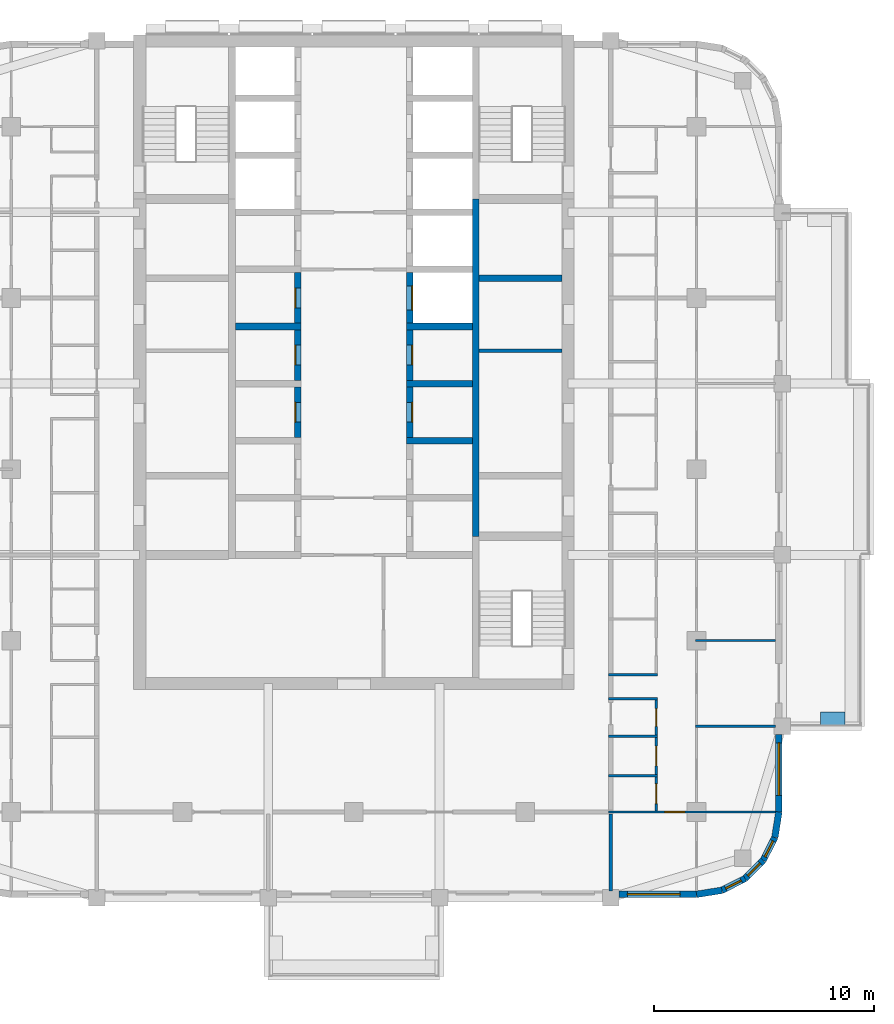
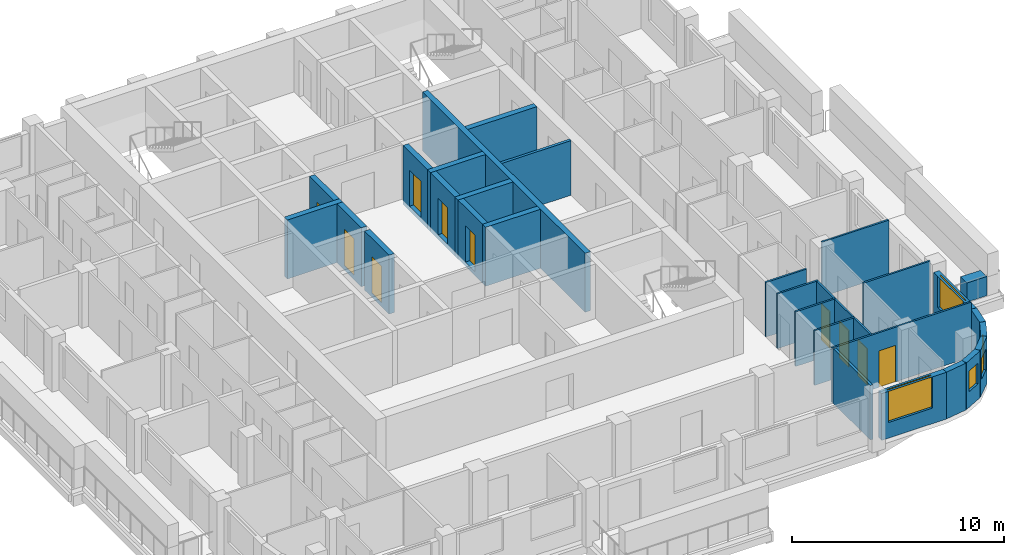
# One storey, part 5 of 13: 30 walls, 10 doors, 5 windows, 15 openings.
"""IFC4 building model written with IfcOpenShell, lengths in metres."""

from ifc_helpers import new_model, si_unit, direction, frame, frame_2d, origin, place, context, subcontext, project, spatial, rectangle, extrude, material, layer, layer_set, type_object, element, fill, save


model = new_model("IFC4")

# Units and contexts
model_context = context("Model", 3, precision=1e-05, world=origin(), true_north=direction((0.0, 1.0)))
body_context = subcontext(model_context, "Body", "Model", "MODEL_VIEW")
ifc_project = project(units=[si_unit("LENGTHUNIT", "METRE"), si_unit("AREAUNIT", "SQUARE_METRE"), si_unit("VOLUMEUNIT", "CUBIC_METRE"), si_unit("PLANEANGLEUNIT", "RADIAN"), si_unit("MASSUNIT", "GRAM", prefix="KILO")], contexts=[model_context])

# Site, building, storey
site_placement = place(None, origin())
site = spatial("IfcSite", under=ifc_project, at=site_placement, CompositionType="ELEMENT")
building_placement = place(site_placement, origin())
building = spatial("IfcBuilding", under=site, at=building_placement, Name="Ludao Terraces", CompositionType="ELEMENT")
storey_placement = place(building_placement, frame((0.0, 0.0, 158.800048828125)))
storey = spatial("IfcBuildingStorey", under=building, at=storey_placement, Name="L43", CompositionType="ELEMENT", Elevation=158.800048828125)

# Wall
ifc_material_1 = material(Name="Concrete C40", Category="concrete")
ifc_layer_1 = layer(ifc_material_1, 0.60009765625)
ifc_layer_set_1 = layer_set([ifc_layer_1], Name="ENV Planter trough 600")
wall_type_1 = type_object("IfcWallType", Name="ENV Planter trough 600", PredefinedType="USERDEFINED", material=ifc_layer_set_1)
wall_1_placement = place(storey_placement, frame((107.35009765625, 53.64990234375, 0.0), z_axis=(0.0, 0.0, 1.0), x_axis=(-1.0, 0.0, 0.0)))
element("IfcWall", 1, at=wall_1_placement, inside=storey, type_object=wall_type_1, Name="PL-L43-E1-SA", ObjectType="PLANTER", PredefinedType="USERDEFINED", context=body_context, shape_type="SweptSolid", body=[
    extrude(rectangle(XDim=1.10009765625, YDim=0.60009765625, at=frame_2d((0.550048828125, 0.0))), origin(), (0.0, 0.0, 1.0), 1.099853515625),
])

# Wall, opening, window
ifc_material_2 = material(Name="Granite cladding", Category="masonry")
ifc_layer_2 = layer(ifc_material_2, 0.0400390625, Category="stone")
ifc_material_3 = material(Name="Mineral wool")
ifc_layer_3 = layer(ifc_material_3, 0.06005859375)
ifc_layer_4 = layer(ifc_material_1, 0.199951171875, Category="concrete")
ifc_layer_set_2 = layer_set([ifc_layer_2, ifc_layer_3, ifc_layer_4], Name="ENV Stone-clad wall 300")
wall_type_2 = type_object("IfcWallType", Name="ENV Stone-clad wall 300", PredefinedType="SOLIDWALL", material=ifc_layer_set_2)
wall_2_placement = place(storey_placement, frame((97.074951171875, 45.64990234375, 0.0), z_axis=(0.0, 0.0, 1.0), x_axis=(1.0, 0.0, 0.0)))
wall_2 = element("IfcWall", 2, at=wall_2_placement, inside=storey, type_object=wall_type_2, Name="EW-L43-S5", PredefinedType="SOLIDWALL", context=body_context, shape_type="SweptSolid", body=[
    extrude(rectangle(XDim=3.525146484375, YDim=0.300048828125, at=frame_2d((1.7626953125, 0.0))), origin(), (0.0, 0.0, 1.0), 2.699951171875),
])
opening_1_placement = place(wall_2_placement, frame((0.375, 0.0, 0.89990234375)))
opening_1 = element("IfcOpeningElement", 3, at=opening_1_placement, cuts=wall_2, Name="Opening W1", PredefinedType="OPENING", context=body_context, shape_type="SweptSolid", body=[
    extrude(rectangle(XDim=2.39990234375, YDim=1.800048828125, at=frame_2d((1.199951171875, 0.89990234375))), frame((0.0, 0.16015625, 0.0), z_axis=(0.0, -1.0, 0.0), x_axis=(1.0, 0.0, 0.0)), (0.0, 0.0, 1.0), 0.320068359375),
])
ifc_material_4 = material(Name="Clear glass in aluminium frame", Category="aluminium")
ifc_layer_5 = layer(ifc_material_4, 0.06005859375)
ifc_layer_set_3 = layer_set([ifc_layer_5], Name="ENV Window W1 2400x1800")
window_type_1 = type_object("IfcWindowType", Name="ENV Window W1 2400x1800", PartitioningType="DOUBLE_PANEL_VERTICAL", PredefinedType="WINDOW", material=ifc_layer_set_3)
window_1_placement = place(opening_1_placement, origin())
window_1 = element("IfcWindow", 4, at=window_1_placement, inside=storey, type_object=window_type_1, Name="W-L43-S5-1", OverallHeight=1.800048828125, OverallWidth=2.39990234375, PartitioningType="DOUBLE_PANEL_VERTICAL", PredefinedType="WINDOW", context=body_context, shape_type="SweptSolid", body=[
    extrude(rectangle(XDim=2.39990234375, YDim=1.800048828125, at=frame_2d((1.199951171875, 0.89990234375))), frame((0.0, 0.030029296875, 0.0), z_axis=(0.0, -1.0, 0.0), x_axis=(1.0, 0.0, 0.0)), (0.0, 0.0, 1.0), 0.06005859375),
])
fill(opening_1, window_1)

wall_3_placement = place(storey_placement, frame((104.35009765625, 49.39990234375, 0.0), z_axis=(0.0, 0.0, 1.0), x_axis=(0.0, 1.0, 0.0)))
wall_3 = element("IfcWall", 5, at=wall_3_placement, inside=storey, type_object=wall_type_2, Name="EW-L43-E1", PredefinedType="SOLIDWALL", context=body_context, shape_type="SweptSolid", body=[
    extrude(rectangle(XDim=3.525146484375, YDim=0.300048828125, at=frame_2d((1.7626953125, 0.0))), origin(), (0.0, 0.0, 1.0), 2.699951171875),
])
opening_2_placement = place(wall_3_placement, frame((0.75, 0.0, 0.89990234375)))
opening_2 = element("IfcOpeningElement", 6, at=opening_2_placement, cuts=wall_3, Name="Opening W1", PredefinedType="OPENING", context=body_context, shape_type="SweptSolid", body=[
    extrude(rectangle(XDim=2.39990234375, YDim=1.800048828125, at=frame_2d((1.199951171875, 0.89990234375))), frame((0.0, 0.16015625, 0.0), z_axis=(0.0, -1.0, 0.0), x_axis=(1.0, 0.0, 0.0)), (0.0, 0.0, 1.0), 0.320068359375),
])
window_2_placement = place(opening_2_placement, origin())
window_2 = element("IfcWindow", 7, at=window_2_placement, inside=storey, type_object=window_type_1, Name="W-L43-E1-1", OverallHeight=1.800048828125, OverallWidth=2.39990234375, PartitioningType="DOUBLE_PANEL_VERTICAL", PredefinedType="WINDOW", context=body_context, shape_type="SweptSolid", body=[
    extrude(rectangle(XDim=2.39990234375, YDim=1.800048828125, at=frame_2d((1.199951171875, 0.89990234375))), frame((0.0, 0.030029296875, 0.0), z_axis=(0.0, -1.0, 0.0), x_axis=(1.0, 0.0, 0.0)), (0.0, 0.0, 1.0), 0.06005859375),
])
fill(opening_2, window_2)

# Wall
wall_4_placement = place(storey_placement, frame((100.60009765625, 45.64990234375, 0.0), z_axis=(0.0, 0.0, 1.0), x_axis=(0.987678452879, 0.156496880861, 0.0)))
element("IfcWall", 8, at=wall_4_placement, inside=storey, type_object=wall_type_2, Name="EW-L43-SE1", PredefinedType="SOLIDWALL", context=body_context, shape_type="SweptSolid", body=[
    extrude(rectangle(XDim=1.173095703125, YDim=0.300048828125, at=frame_2d((0.58642578125, 0.0))), origin(), (0.0, 0.0, 1.0), 2.699951171875),
])

# Wall, opening, window
wall_5_placement = place(storey_placement, frame((101.7587890625, 45.83349609375, 0.0), z_axis=(0.0, 0.0, 1.0), x_axis=(0.890988677504, 0.454025524128, 0.0)))
wall_5 = element("IfcWall", 9, at=wall_5_placement, inside=storey, type_object=wall_type_2, Name="EW-L43-SE2", PredefinedType="SOLIDWALL", context=body_context, shape_type="SweptSolid", body=[
    extrude(rectangle(XDim=1.17333984375, YDim=0.300048828125, at=frame_2d((0.586669921875, 0.0))), origin(), (0.0, 0.0, 1.0), 2.699951171875),
])
opening_3_placement = place(wall_5_placement, frame((0.1865234375, 0.0, 0.89990234375)))
opening_3 = element("IfcOpeningElement", 10, at=opening_3_placement, cuts=wall_5, Name="Opening W3", PredefinedType="OPENING", context=body_context, shape_type="SweptSolid", body=[
    extrude(rectangle(XDim=0.800048828125, YDim=1.199951171875, at=frame_2d((0.39990234375, 0.60009765625))), frame((0.0, 0.16015625, 0.0), z_axis=(0.0, -1.0, 0.0), x_axis=(1.0, 0.0, 0.0)), (0.0, 0.0, 1.0), 0.320068359375),
])
ifc_layer_6 = layer(ifc_material_4, 0.06005859375)
ifc_layer_set_4 = layer_set([ifc_layer_6], Name="ENV Window W3 800x1200")
window_type_2 = type_object("IfcWindowType", Name="ENV Window W3 800x1200", PartitioningType="SINGLE_PANEL", PredefinedType="WINDOW", material=ifc_layer_set_4)
window_3_placement = place(opening_3_placement, origin())
window_3 = element("IfcWindow", 11, at=window_3_placement, inside=storey, type_object=window_type_2, Name="W-L43-SE2", OverallHeight=1.199951171875, OverallWidth=0.800048828125, PartitioningType="SINGLE_PANEL", PredefinedType="WINDOW", context=body_context, shape_type="SweptSolid", body=[
    extrude(rectangle(XDim=0.800048828125, YDim=1.199951171875, at=frame_2d((0.39990234375, 0.60009765625))), frame((0.0, 0.030029296875, 0.0), z_axis=(0.0, -1.0, 0.0), x_axis=(1.0, 0.0, 0.0)), (0.0, 0.0, 1.0), 0.06005859375),
])
fill(opening_3, window_3)

wall_6_placement = place(storey_placement, frame((102.80419921875, 46.3662109375, 0.0), z_axis=(0.0, 0.0, 1.0), x_axis=(0.707106781187, 0.707106781187, 0.0)))
wall_6 = element("IfcWall", 12, at=wall_6_placement, inside=storey, type_object=wall_type_2, Name="EW-L43-SE3", PredefinedType="SOLIDWALL", context=body_context, shape_type="SweptSolid", body=[
    extrude(rectangle(XDim=1.173095703125, YDim=0.300048828125, at=frame_2d((0.58642578125, 0.0))), origin(), (0.0, 0.0, 1.0), 2.699951171875),
])
opening_4_placement = place(wall_6_placement, frame((0.1865234375, 0.0, 0.89990234375)))
opening_4 = element("IfcOpeningElement", 13, at=opening_4_placement, cuts=wall_6, Name="Opening W3", PredefinedType="OPENING", context=body_context, shape_type="SweptSolid", body=[
    extrude(rectangle(XDim=0.800048828125, YDim=1.199951171875, at=frame_2d((0.39990234375, 0.60009765625))), frame((0.0, 0.16015625, 0.0), z_axis=(0.0, -1.0, 0.0), x_axis=(1.0, 0.0, 0.0)), (0.0, 0.0, 1.0), 0.320068359375),
])
window_4_placement = place(opening_4_placement, origin())
window_4 = element("IfcWindow", 14, at=window_4_placement, inside=storey, type_object=window_type_2, Name="W-L43-SE3", OverallHeight=1.199951171875, OverallWidth=0.800048828125, PartitioningType="SINGLE_PANEL", PredefinedType="WINDOW", context=body_context, shape_type="SweptSolid", body=[
    extrude(rectangle(XDim=0.800048828125, YDim=1.199951171875, at=frame_2d((0.39990234375, 0.60009765625))), frame((0.0, 0.030029296875, 0.0), z_axis=(0.0, -1.0, 0.0), x_axis=(1.0, 0.0, 0.0)), (0.0, 0.0, 1.0), 0.06005859375),
])
fill(opening_4, window_4)

wall_7_placement = place(storey_placement, frame((103.6337890625, 47.19580078125, 0.0), z_axis=(0.0, 0.0, 1.0), x_axis=(0.454025524128, 0.890988677504, 0.0)))
wall_7 = element("IfcWall", 15, at=wall_7_placement, inside=storey, type_object=wall_type_2, Name="EW-L43-SE4", PredefinedType="SOLIDWALL", context=body_context, shape_type="SweptSolid", body=[
    extrude(rectangle(XDim=1.17333984375, YDim=0.300048828125, at=frame_2d((0.586669921875, 0.0))), origin(), (0.0, 0.0, 1.0), 2.699951171875),
])
opening_5_placement = place(wall_7_placement, frame((0.1865234375, 0.0, 0.89990234375)))
opening_5 = element("IfcOpeningElement", 16, at=opening_5_placement, cuts=wall_7, Name="Opening W3", PredefinedType="OPENING", context=body_context, shape_type="SweptSolid", body=[
    extrude(rectangle(XDim=0.800048828125, YDim=1.199951171875, at=frame_2d((0.39990234375, 0.60009765625))), frame((0.0, 0.16015625, 0.0), z_axis=(0.0, -1.0, 0.0), x_axis=(1.0, 0.0, 0.0)), (0.0, 0.0, 1.0), 0.320068359375),
])
window_5_placement = place(opening_5_placement, origin())
window_5 = element("IfcWindow", 17, at=window_5_placement, inside=storey, type_object=window_type_2, Name="W-L43-SE4", OverallHeight=1.199951171875, OverallWidth=0.800048828125, PartitioningType="SINGLE_PANEL", PredefinedType="WINDOW", context=body_context, shape_type="SweptSolid", body=[
    extrude(rectangle(XDim=0.800048828125, YDim=1.199951171875, at=frame_2d((0.39990234375, 0.60009765625))), frame((0.0, 0.030029296875, 0.0), z_axis=(0.0, -1.0, 0.0), x_axis=(1.0, 0.0, 0.0)), (0.0, 0.0, 1.0), 0.06005859375),
])
fill(opening_5, window_5)

# Walls
wall_8_placement = place(storey_placement, frame((104.16650390625, 48.2412109375, 0.0), z_axis=(0.0, 0.0, 1.0), x_axis=(0.156496880861, 0.987678452879, 0.0)))
element("IfcWall", 18, at=wall_8_placement, inside=storey, type_object=wall_type_2, Name="EW-L43-SE5", PredefinedType="SOLIDWALL", context=body_context, shape_type="SweptSolid", body=[
    extrude(rectangle(XDim=1.173095703125, YDim=0.300048828125, at=frame_2d((0.58642578125, 0.0))), origin(), (0.0, 0.0, 1.0), 2.699951171875),
])
ifc_material_5 = material(Name="Fire-rated gypsum plasterboard", Category="gypsum")
ifc_layer_7 = layer(ifc_material_5, 0.012451171875, Category="gypsum")
ifc_layer_8 = layer(ifc_material_3, 0.10009765625, Name="insulation")
ifc_material_6 = material(Name="Steel Q235", Category="steel")
ifc_layer_9 = layer(ifc_material_6, 0.02490234375, Name="stud")
ifc_layer_10 = layer(ifc_material_5, 0.012451171875, Category="gypsum")
ifc_layer_set_5 = layer_set([ifc_layer_7, ifc_layer_8, ifc_layer_9, ifc_layer_10], Name="INT Core partition 150")
wall_type_3 = type_object("IfcWallType", Name="INT Core partition 150", PredefinedType="PARTITIONING", material=ifc_layer_set_5)
wall_9_placement = place(storey_placement, frame((90.7001953125, 70.39990234375, 0.0), z_axis=(0.0, 0.0, 1.0), x_axis=(1.0, 0.0, 0.0)))
element("IfcWall", 19, at=wall_9_placement, inside=storey, type_object=wall_type_3, Name="PW-L43-PW030", PredefinedType="PARTITIONING", context=body_context, shape_type="SweptSolid", body=[
    extrude(rectangle(XDim=3.77490234375, YDim=0.14990234375, at=frame_2d((1.887451171875, 0.0))), origin(), (0.0, 0.0, 1.0), 3.14990234375),
])

# Wall, opening, door
ifc_material_7 = material(Name="Gypsum plasterboard", Category="gypsum")
ifc_layer_11 = layer(ifc_material_7, 0.012451171875, Category="gypsum")
ifc_layer_12 = layer(ifc_material_3, 0.06005859375, Name="insulation")
ifc_layer_13 = layer(ifc_material_6, 0.014892578125, Name="stud")
ifc_layer_14 = layer(ifc_material_7, 0.012451171875, Category="gypsum")
ifc_layer_set_6 = layer_set([ifc_layer_11, ifc_layer_12, ifc_layer_13, ifc_layer_14], Name="INT Partition 100")
wall_type_4 = type_object("IfcWallType", Name="INT Partition 100", PredefinedType="PARTITIONING", material=ifc_layer_set_6)
wall_10_placement = place(storey_placement, frame((96.60009765625, 49.39990234375, 0.0), z_axis=(0.0, 0.0, 1.0), x_axis=(1.0, 0.0, 0.0)))
wall_10 = element("IfcWall", 20, at=wall_10_placement, inside=storey, type_object=wall_type_4, Name="PW-L43-PW002", PredefinedType="PARTITIONING", context=body_context, shape_type="SweptSolid", body=[
    extrude(rectangle(XDim=7.60009765625, YDim=0.10009765625, at=frame_2d((3.800048828125, 0.0))), origin(), (0.0, 0.0, 1.0), 3.14990234375),
])
opening_6_placement = place(wall_10_placement, frame((2.56005859375, 0.0, 0.0)))
opening_6 = element("IfcOpeningElement", 21, at=opening_6_placement, cuts=wall_10, Name="Opening R15-006", PredefinedType="OPENING", context=body_context, shape_type="SweptSolid", body=[
    extrude(rectangle(XDim=0.89990234375, YDim=2.10009765625, at=frame_2d((0.449951171875, 1.050048828125))), frame((0.0, 0.06005859375, 0.0), z_axis=(0.0, -1.0, 0.0), x_axis=(1.0, 0.0, 0.0)), (0.0, 0.0, 1.0), 0.1201171875),
])
ifc_material_8 = material(Name="Timber door leaf", Category="wood")
door_type_1 = type_object("IfcDoorType", Name="INT Room door 900", OperationType="SINGLE_SWING_LEFT", PredefinedType="DOOR", material=ifc_material_8)
door_1_placement = place(opening_6_placement, origin())
door_1 = element("IfcDoor", 22, at=door_1_placement, inside=storey, type_object=door_type_1, Name="DOOR 006", OperationType="SINGLE_SWING_LEFT", OverallHeight=2.10009765625, OverallWidth=0.89990234375, PredefinedType="DOOR", context=body_context, shape_type="SweptSolid", body=[
    extrude(rectangle(XDim=0.89990234375, YDim=2.10009765625, at=frame_2d((0.449951171875, 1.050048828125))), frame((0.0, 0.02490234375, 0.0), z_axis=(0.0, -1.0, 0.0), x_axis=(1.0, 0.0, 0.0)), (0.0, 0.0, 1.0), 0.050048828125),
])
fill(opening_6, door_1)

# Walls
for number, where, z_axis, x_axis, name in (
    (23, (96.60009765625, 51.050048828125, 0.0), (0.0, 0.0, 1.0), (1.0, 0.0, 0.0), "PW-L43-PW003"),
    (24, (96.60009765625, 52.85009765625, 0.0), (0.0, 0.0, 1.0), (1.0, 0.0, 0.0), "PW-L43-PW005"),
):
    element("IfcWall", number, at=place(storey_placement, frame(where, z_axis=z_axis, x_axis=x_axis)), inside=storey, type_object=wall_type_4, Name=name, PredefinedType="PARTITIONING", context=body_context, shape_type="SweptSolid", body=[
        extrude(rectangle(XDim=2.219970703125, YDim=0.10009765625, at=frame_2d((1.10986328125, 0.0))), origin(), (0.0, 0.0, 1.0), 3.14990234375),
    ])
wall_11_placement = place(storey_placement, frame((100.550048828125, 53.300048828125, 0.0), z_axis=(0.0, 0.0, 1.0), x_axis=(1.0, 0.0, 0.0)))
element("IfcWall", 25, at=wall_11_placement, inside=storey, type_object=wall_type_4, Name="PW-L43-PW007", PredefinedType="PARTITIONING", context=body_context, shape_type="SweptSolid", body=[
    extrude(rectangle(XDim=3.650146484375, YDim=0.10009765625, at=frame_2d((1.8251953125, 0.0))), origin(), (0.0, 0.0, 1.0), 3.14990234375),
])
for number, where, z_axis, x_axis, name in (
    (26, (96.60009765625, 54.550048828125, 0.0), (0.0, 0.0, 1.0), (1.0, 0.0, 0.0), "PW-L43-PW008"),
    (27, (96.60009765625, 55.64990234375, 0.0), (0.0, 0.0, 1.0), (1.0, 0.0, 0.0), "PW-L43-PW010"),
):
    element("IfcWall", number, at=place(storey_placement, frame(where, z_axis=z_axis, x_axis=x_axis)), inside=storey, type_object=wall_type_4, Name=name, PredefinedType="PARTITIONING", context=body_context, shape_type="SweptSolid", body=[
        extrude(rectangle(XDim=2.219970703125, YDim=0.10009765625, at=frame_2d((1.10986328125, 0.0))), origin(), (0.0, 0.0, 1.0), 3.14990234375),
    ])
wall_12_placement = place(storey_placement, frame((100.550048828125, 57.199951171875, 0.0), z_axis=(0.0, 0.0, 1.0), x_axis=(1.0, 0.0, 0.0)))
element("IfcWall", 28, at=wall_12_placement, inside=storey, type_object=wall_type_4, Name="PW-L43-PW012", PredefinedType="PARTITIONING", context=body_context, shape_type="SweptSolid", body=[
    extrude(rectangle(XDim=3.650146484375, YDim=0.10009765625, at=frame_2d((1.8251953125, 0.0))), origin(), (0.0, 0.0, 1.0), 3.14990234375),
])

# Wall, openings, doors
wall_13_placement = place(storey_placement, frame((98.77001953125, 49.4501953125, 0.0), z_axis=(0.0, 0.0, 1.0), x_axis=(0.0, 1.0, 0.0)))
wall_13 = element("IfcWall", 29, at=wall_13_placement, inside=storey, type_object=wall_type_4, Name="PW-L43-PW057", PredefinedType="PARTITIONING", context=body_context, shape_type="SweptSolid", body=[
    extrude(rectangle(XDim=5.0498046875, YDim=0.10009765625, at=frame_2d((2.52490234375, 0.0))), origin(), (0.0, 0.0, 1.0), 3.14990234375),
])
opening_7_placement = place(wall_13_placement, frame((0.324951171875, 0.0, 0.0)))
opening_7 = element("IfcOpeningElement", 30, at=opening_7_placement, cuts=wall_13, Name="Opening R15-007", PredefinedType="OPENING", context=body_context, shape_type="SweptSolid", body=[
    extrude(rectangle(XDim=0.89990234375, YDim=2.10009765625, at=frame_2d((0.449951171875, 1.050048828125))), frame((0.0, 0.06005859375, 0.0), z_axis=(0.0, -1.0, 0.0), x_axis=(1.0, 0.0, 0.0)), (0.0, 0.0, 1.0), 0.1201171875),
])
opening_8_placement = place(wall_13_placement, frame((2.0498046875, 0.0, 0.0)))
opening_8 = element("IfcOpeningElement", 31, at=opening_8_placement, cuts=wall_13, Name="Opening R15-011", PredefinedType="OPENING", context=body_context, shape_type="SweptSolid", body=[
    extrude(rectangle(XDim=0.89990234375, YDim=2.10009765625, at=frame_2d((0.449951171875, 1.050048828125))), frame((0.0, 0.06005859375, 0.0), z_axis=(0.0, -1.0, 0.0), x_axis=(1.0, 0.0, 0.0)), (0.0, 0.0, 1.0), 0.1201171875),
])
opening_9_placement = place(wall_13_placement, frame((3.849853515625, 0.0, 0.0)))
opening_9 = element("IfcOpeningElement", 32, at=opening_9_placement, cuts=wall_13, Name="Opening R15-012", PredefinedType="OPENING", context=body_context, shape_type="SweptSolid", body=[
    extrude(rectangle(XDim=0.800048828125, YDim=2.10009765625, at=frame_2d((0.39990234375, 1.050048828125))), frame((0.0, 0.06005859375, 0.0), z_axis=(0.0, -1.0, 0.0), x_axis=(1.0, 0.0, 0.0)), (0.0, 0.0, 1.0), 0.1201171875),
])
door_type_2 = type_object("IfcDoorType", Name="INT Bathroom door 900", OperationType="SINGLE_SWING_LEFT", PredefinedType="DOOR", material=ifc_material_8)
door_2_placement = place(opening_7_placement, origin())
door_2 = element("IfcDoor", 33, at=door_2_placement, inside=storey, type_object=door_type_2, Name="DOOR 007", OperationType="SINGLE_SWING_LEFT", OverallHeight=2.10009765625, OverallWidth=0.89990234375, PredefinedType="DOOR", context=body_context, shape_type="SweptSolid", body=[
    extrude(rectangle(XDim=0.89990234375, YDim=2.10009765625, at=frame_2d((0.449951171875, 1.050048828125))), frame((0.0, 0.02490234375, 0.0), z_axis=(0.0, -1.0, 0.0), x_axis=(1.0, 0.0, 0.0)), (0.0, 0.0, 1.0), 0.050048828125),
])
fill(opening_7, door_2)
door_3_placement = place(opening_8_placement, origin())
door_3 = element("IfcDoor", 34, at=door_3_placement, inside=storey, type_object=door_type_2, Name="DOOR 011", OperationType="SINGLE_SWING_LEFT", OverallHeight=2.10009765625, OverallWidth=0.89990234375, PredefinedType="DOOR", context=body_context, shape_type="SweptSolid", body=[
    extrude(rectangle(XDim=0.89990234375, YDim=2.10009765625, at=frame_2d((0.449951171875, 1.050048828125))), frame((0.0, 0.02490234375, 0.0), z_axis=(0.0, -1.0, 0.0), x_axis=(1.0, 0.0, 0.0)), (0.0, 0.0, 1.0), 0.050048828125),
])
fill(opening_8, door_3)
door_type_3 = type_object("IfcDoorType", Name="INT Store door 800", OperationType="SINGLE_SWING_LEFT", PredefinedType="DOOR", material=ifc_material_8)
door_4_placement = place(opening_9_placement, origin())
door_4 = element("IfcDoor", 35, at=door_4_placement, inside=storey, type_object=door_type_3, Name="DOOR 012", OperationType="SINGLE_SWING_RIGHT", OverallHeight=2.10009765625, OverallWidth=0.800048828125, PredefinedType="DOOR", context=body_context, shape_type="SweptSolid", body=[
    extrude(rectangle(XDim=0.800048828125, YDim=2.10009765625, at=frame_2d((0.39990234375, 1.050048828125))), frame((0.0, 0.02490234375, 0.0), z_axis=(0.0, -1.0, 0.0), x_axis=(1.0, 0.0, 0.0)), (0.0, 0.0, 1.0), 0.050048828125),
])
fill(opening_9, door_4)

# Walls
ifc_material_9 = material(Name="Autoclaved aerated concrete block B06 A3.5", Category="concrete")
ifc_layer_15 = layer(ifc_material_9, 0.14990234375)
ifc_layer_set_7 = layer_set([ifc_layer_15], Name="INT Party wall 150")
wall_type_5 = type_object("IfcWallType", Name="INT Party wall 150", PredefinedType="PARTITIONING", material=ifc_layer_set_7)
wall_14_placement = place(storey_placement, frame((96.699951171875, 45.800048828125, 0.0), z_axis=(0.0, 0.0, 1.0), x_axis=(0.0, 1.0, 0.0)))
element("IfcWall", 36, at=wall_14_placement, inside=storey, type_object=wall_type_5, Name="PW-L43-PW055", PredefinedType="PARTITIONING", context=body_context, shape_type="SweptSolid", body=[
    extrude(rectangle(XDim=3.5, YDim=0.14990234375, at=frame_2d((1.75, 0.0))), origin(), (0.0, 0.0, 1.0), 3.14990234375),
])
ifc_material_10 = material(Name="Concrete C55", Category="concrete")
ifc_layer_16 = layer(ifc_material_10, 0.300048828125)
ifc_layer_set_8 = layer_set([ifc_layer_16], Name="Shaft wall 300 C55")
wall_type_6 = type_object("IfcWallType", Name="Shaft wall 300 C55", PredefinedType="SOLIDWALL", material=ifc_layer_set_8)
wall_15_placement = place(storey_placement, frame((90.550048828125, 61.949951171875, -0.25), z_axis=(0.0, 0.0, 1.0), x_axis=(0.0, 1.0, 0.0)))
element("IfcWall", 37, at=wall_15_placement, inside=storey, type_object=wall_type_6, Name="Core wall L43 back-E", PredefinedType="SOLIDWALL", context=body_context, shape_type="SweptSolid", body=[
    extrude(rectangle(XDim=15.35009765625, YDim=0.300048828125, at=frame_2d((7.675048828125, 0.0))), origin(), (0.0, 0.0, 1.0), 3.39990234375),
])

# Wall, opening, door
wall_16_placement = place(storey_placement, frame((82.449951171875, 66.449951171875, -0.25), z_axis=(0.0, 0.0, 1.0), x_axis=(0.0, 1.0, 0.0)))
wall_16 = element("IfcWall", 38, at=wall_16_placement, inside=storey, type_object=wall_type_6, Name="Core wall L43 front-W3", PredefinedType="SOLIDWALL", context=body_context, shape_type="SweptSolid", body=[
    extrude(rectangle(XDim=2.300048828125, YDim=0.300048828125, at=frame_2d((1.14990234375, 0.0))), origin(), (0.0, 0.0, 1.0), 3.39990234375),
])
opening_10_placement = place(wall_16_placement, frame((0.699951171875, 0.0, 0.25)))
opening_10 = element("IfcOpeningElement", 39, at=opening_10_placement, cuts=wall_16, Name="Opening R15-044", PredefinedType="OPENING", context=body_context, shape_type="SweptSolid", body=[
    extrude(rectangle(XDim=0.89990234375, YDim=2.10009765625, at=frame_2d((0.449951171875, 1.050048828125))), frame((0.0, 0.16015625, 0.0), z_axis=(0.0, -1.0, 0.0), x_axis=(1.0, 0.0, 0.0)), (0.0, 0.0, 1.0), 0.320068359375),
])
door_5_placement = place(opening_10_placement, origin())
door_5 = element("IfcDoor", 40, at=door_5_placement, inside=storey, type_object=door_type_1, Name="DOOR 044", OperationType="SINGLE_SWING_LEFT", OverallHeight=2.10009765625, OverallWidth=0.89990234375, PredefinedType="DOOR", context=body_context, shape_type="SweptSolid", body=[
    extrude(rectangle(XDim=0.89990234375, YDim=2.10009765625, at=frame_2d((0.449951171875, 1.050048828125))), frame((0.0, 0.13525390625, 0.0), z_axis=(0.0, -1.0, 0.0), x_axis=(1.0, 0.0, 0.0)), (0.0, 0.0, 1.0), 0.050048828125),
])
fill(opening_10, door_5)

wall_17_placement = place(storey_placement, frame((82.449951171875, 69.050048828125, -0.25), z_axis=(0.0, 0.0, 1.0), x_axis=(0.0, 1.0, 0.0)))
wall_17 = element("IfcWall", 41, at=wall_17_placement, inside=storey, type_object=wall_type_6, Name="Core wall L43 front-W4", PredefinedType="SOLIDWALL", context=body_context, shape_type="SweptSolid", body=[
    extrude(rectangle(XDim=2.300048828125, YDim=0.300048828125, at=frame_2d((1.14990234375, 0.0))), origin(), (0.0, 0.0, 1.0), 3.39990234375),
])
opening_11_placement = place(wall_17_placement, frame((0.699951171875, 0.0, 0.25)))
opening_11 = element("IfcOpeningElement", 42, at=opening_11_placement, cuts=wall_17, Name="Opening R15-050", PredefinedType="OPENING", context=body_context, shape_type="SweptSolid", body=[
    extrude(rectangle(XDim=0.89990234375, YDim=2.10009765625, at=frame_2d((0.449951171875, 1.050048828125))), frame((0.0, 0.16015625, 0.0), z_axis=(0.0, -1.0, 0.0), x_axis=(1.0, 0.0, 0.0)), (0.0, 0.0, 1.0), 0.320068359375),
])
door_6_placement = place(opening_11_placement, origin())
door_6 = element("IfcDoor", 43, at=door_6_placement, inside=storey, type_object=door_type_1, Name="DOOR 050", OperationType="SINGLE_SWING_RIGHT", OverallHeight=2.10009765625, OverallWidth=0.89990234375, PredefinedType="DOOR", context=body_context, shape_type="SweptSolid", body=[
    extrude(rectangle(XDim=0.89990234375, YDim=2.10009765625, at=frame_2d((0.449951171875, 1.050048828125))), frame((0.0, 0.13525390625, 0.0), z_axis=(0.0, -1.0, 0.0), x_axis=(1.0, 0.0, 0.0)), (0.0, 0.0, 1.0), 0.050048828125),
])
fill(opening_11, door_6)

# Wall
wall_18_placement = place(storey_placement, frame((79.60009765625, 71.5, -0.25), z_axis=(0.0, 0.0, 1.0), x_axis=(1.0, 0.0, 0.0)))
element("IfcWall", 44, at=wall_18_placement, inside=storey, type_object=wall_type_6, Name="Core wall L43 div-W5", PredefinedType="SOLIDWALL", context=body_context, shape_type="SweptSolid", body=[
    extrude(rectangle(XDim=3.0, YDim=0.300048828125, at=frame_2d((1.5, 0.0))), origin(), (0.0, 0.0, 1.0), 3.39990234375),
])

# Wall, opening, door
wall_19_placement = place(storey_placement, frame((82.449951171875, 71.64990234375, -0.25), z_axis=(0.0, 0.0, 1.0), x_axis=(0.0, 1.0, 0.0)))
wall_19 = element("IfcWall", 45, at=wall_19_placement, inside=storey, type_object=wall_type_6, Name="Core wall L43 front-W5", PredefinedType="SOLIDWALL", context=body_context, shape_type="SweptSolid", body=[
    extrude(rectangle(XDim=2.300048828125, YDim=0.300048828125, at=frame_2d((1.14990234375, 0.0))), origin(), (0.0, 0.0, 1.0), 3.39990234375),
])
opening_12_placement = place(wall_19_placement, frame((0.699951171875, 0.0, 0.25)))
opening_12 = element("IfcOpeningElement", 46, at=opening_12_placement, cuts=wall_19, Name="Opening R15-057", PredefinedType="OPENING", context=body_context, shape_type="SweptSolid", body=[
    extrude(rectangle(XDim=0.89990234375, YDim=2.10009765625, at=frame_2d((0.449951171875, 1.050048828125))), frame((0.0, 0.16015625, 0.0), z_axis=(0.0, -1.0, 0.0), x_axis=(1.0, 0.0, 0.0)), (0.0, 0.0, 1.0), 0.320068359375),
])
door_7_placement = place(opening_12_placement, origin())
door_7 = element("IfcDoor", 47, at=door_7_placement, inside=storey, type_object=door_type_1, Name="DOOR 057", OperationType="SINGLE_SWING_LEFT", OverallHeight=2.10009765625, OverallWidth=0.89990234375, PredefinedType="DOOR", context=body_context, shape_type="SweptSolid", body=[
    extrude(rectangle(XDim=0.89990234375, YDim=2.10009765625, at=frame_2d((0.449951171875, 1.050048828125))), frame((0.0, 0.13525390625, 0.0), z_axis=(0.0, -1.0, 0.0), x_axis=(1.0, 0.0, 0.0)), (0.0, 0.0, 1.0), 0.050048828125),
])
fill(opening_12, door_7)

# Wall
wall_20_placement = place(storey_placement, frame((87.39990234375, 66.300048828125, -0.25), z_axis=(0.0, 0.0, 1.0), x_axis=(1.0, 0.0, 0.0)))
element("IfcWall", 48, at=wall_20_placement, inside=storey, type_object=wall_type_6, Name="Core wall L43 div-E3", PredefinedType="SOLIDWALL", context=body_context, shape_type="SweptSolid", body=[
    extrude(rectangle(XDim=3.0, YDim=0.300048828125, at=frame_2d((1.5, 0.0))), origin(), (0.0, 0.0, 1.0), 3.39990234375),
])

# Wall, opening, door
wall_21_placement = place(storey_placement, frame((87.550048828125, 66.449951171875, -0.25), z_axis=(0.0, 0.0, 1.0), x_axis=(0.0, 1.0, 0.0)))
wall_21 = element("IfcWall", 49, at=wall_21_placement, inside=storey, type_object=wall_type_6, Name="Core wall L43 front-E3", PredefinedType="SOLIDWALL", context=body_context, shape_type="SweptSolid", body=[
    extrude(rectangle(XDim=2.300048828125, YDim=0.300048828125, at=frame_2d((1.14990234375, 0.0))), origin(), (0.0, 0.0, 1.0), 3.39990234375),
])
opening_13_placement = place(wall_21_placement, frame((0.699951171875, 0.0, 0.25)))
opening_13 = element("IfcOpeningElement", 50, at=opening_13_placement, cuts=wall_21, Name="Opening R15-045", PredefinedType="OPENING", context=body_context, shape_type="SweptSolid", body=[
    extrude(rectangle(XDim=0.89990234375, YDim=2.10009765625, at=frame_2d((0.449951171875, 1.050048828125))), frame((0.0, 0.16015625, 0.0), z_axis=(0.0, -1.0, 0.0), x_axis=(1.0, 0.0, 0.0)), (0.0, 0.0, 1.0), 0.320068359375),
])
door_8_placement = place(opening_13_placement, origin())
door_8 = element("IfcDoor", 51, at=door_8_placement, inside=storey, type_object=door_type_1, Name="DOOR 045", OperationType="SINGLE_SWING_RIGHT", OverallHeight=2.10009765625, OverallWidth=0.89990234375, PredefinedType="DOOR", context=body_context, shape_type="SweptSolid", body=[
    extrude(rectangle(XDim=0.89990234375, YDim=2.10009765625, at=frame_2d((0.449951171875, 1.050048828125))), frame((0.0, -0.0849609375, 0.0), z_axis=(0.0, -1.0, 0.0), x_axis=(1.0, 0.0, 0.0)), (0.0, 0.0, 1.0), 0.050048828125),
])
fill(opening_13, door_8)

# Wall
wall_22_placement = place(storey_placement, frame((87.39990234375, 68.89990234375, -0.25), z_axis=(0.0, 0.0, 1.0), x_axis=(1.0, 0.0, 0.0)))
element("IfcWall", 52, at=wall_22_placement, inside=storey, type_object=wall_type_6, Name="Core wall L43 div-E4", PredefinedType="SOLIDWALL", context=body_context, shape_type="SweptSolid", body=[
    extrude(rectangle(XDim=3.0, YDim=0.300048828125, at=frame_2d((1.5, 0.0))), origin(), (0.0, 0.0, 1.0), 3.39990234375),
])

# Wall, opening, door
wall_23_placement = place(storey_placement, frame((87.550048828125, 69.050048828125, -0.25), z_axis=(0.0, 0.0, 1.0), x_axis=(0.0, 1.0, 0.0)))
wall_23 = element("IfcWall", 53, at=wall_23_placement, inside=storey, type_object=wall_type_6, Name="Core wall L43 front-E4", PredefinedType="SOLIDWALL", context=body_context, shape_type="SweptSolid", body=[
    extrude(rectangle(XDim=2.300048828125, YDim=0.300048828125, at=frame_2d((1.14990234375, 0.0))), origin(), (0.0, 0.0, 1.0), 3.39990234375),
])
opening_14_placement = place(wall_23_placement, frame((0.699951171875, 0.0, 0.25)))
opening_14 = element("IfcOpeningElement", 54, at=opening_14_placement, cuts=wall_23, Name="Opening R15-051", PredefinedType="OPENING", context=body_context, shape_type="SweptSolid", body=[
    extrude(rectangle(XDim=0.89990234375, YDim=2.10009765625, at=frame_2d((0.449951171875, 1.050048828125))), frame((0.0, 0.16015625, 0.0), z_axis=(0.0, -1.0, 0.0), x_axis=(1.0, 0.0, 0.0)), (0.0, 0.0, 1.0), 0.320068359375),
])
door_9_placement = place(opening_14_placement, origin())
door_9 = element("IfcDoor", 55, at=door_9_placement, inside=storey, type_object=door_type_1, Name="DOOR 051", OperationType="SINGLE_SWING_LEFT", OverallHeight=2.10009765625, OverallWidth=0.89990234375, PredefinedType="DOOR", context=body_context, shape_type="SweptSolid", body=[
    extrude(rectangle(XDim=0.89990234375, YDim=2.10009765625, at=frame_2d((0.449951171875, 1.050048828125))), frame((0.0, -0.0849609375, 0.0), z_axis=(0.0, -1.0, 0.0), x_axis=(1.0, 0.0, 0.0)), (0.0, 0.0, 1.0), 0.050048828125),
])
fill(opening_14, door_9)

# Wall
wall_24_placement = place(storey_placement, frame((87.39990234375, 71.5, -0.25), z_axis=(0.0, 0.0, 1.0), x_axis=(1.0, 0.0, 0.0)))
element("IfcWall", 56, at=wall_24_placement, inside=storey, type_object=wall_type_6, Name="Core wall L43 div-E5", PredefinedType="SOLIDWALL", context=body_context, shape_type="SweptSolid", body=[
    extrude(rectangle(XDim=3.0, YDim=0.300048828125, at=frame_2d((1.5, 0.0))), origin(), (0.0, 0.0, 1.0), 3.39990234375),
])

# Wall, opening, door
wall_25_placement = place(storey_placement, frame((87.550048828125, 71.64990234375, -0.25), z_axis=(0.0, 0.0, 1.0), x_axis=(0.0, 1.0, 0.0)))
wall_25 = element("IfcWall", 57, at=wall_25_placement, inside=storey, type_object=wall_type_6, Name="Core wall L43 front-E5", PredefinedType="SOLIDWALL", context=body_context, shape_type="SweptSolid", body=[
    extrude(rectangle(XDim=2.300048828125, YDim=0.300048828125, at=frame_2d((1.14990234375, 0.0))), origin(), (0.0, 0.0, 1.0), 3.39990234375),
])
opening_15_placement = place(wall_25_placement, frame((0.60009765625, 0.0, 0.25)))
opening_15 = element("IfcOpeningElement", 58, at=opening_15_placement, cuts=wall_25, Name="Opening LD-LB1", PredefinedType="OPENING", context=body_context, shape_type="SweptSolid", body=[
    extrude(rectangle(XDim=1.10009765625, YDim=2.10009765625, at=frame_2d((0.550048828125, 1.050048828125))), frame((0.0, 0.16015625, 0.0), z_axis=(0.0, -1.0, 0.0), x_axis=(1.0, 0.0, 0.0)), (0.0, 0.0, 1.0), 0.320068359375),
])
ifc_material_11 = material(Name="Stainless steel 304", Category="steel")
door_type_4 = type_object("IfcDoorType", Name="INT Lift landing door 1100", OperationType="SLIDING_TO_LEFT", PredefinedType="DOOR", material=ifc_material_11)
door_10_placement = place(opening_15_placement, origin())
door_10 = element("IfcDoor", 59, at=door_10_placement, inside=storey, type_object=door_type_4, Name="LANDING DOOR LB1 L43", OperationType="SLIDING_TO_LEFT", OverallHeight=2.10009765625, OverallWidth=1.10009765625, PredefinedType="DOOR", context=body_context, shape_type="SweptSolid", body=[
    extrude(rectangle(XDim=1.10009765625, YDim=2.10009765625, at=frame_2d((0.550048828125, 1.050048828125))), frame((0.0, -0.0849609375, 0.0), z_axis=(0.0, -1.0, 0.0), x_axis=(1.0, 0.0, 0.0)), (0.0, 0.0, 1.0), 0.050048828125),
])
fill(opening_15, door_10)

# Wall
wall_26_placement = place(storey_placement, frame((90.699951171875, 73.699951171875, -0.25), z_axis=(0.0, 0.0, 1.0), x_axis=(1.0, 0.0, 0.0)))
element("IfcWall", 60, at=wall_26_placement, inside=storey, type_object=wall_type_6, Name="Core wall L43 riser-b-E", PredefinedType="SOLIDWALL", context=body_context, shape_type="SweptSolid", body=[
    extrude(rectangle(XDim=3.775146484375, YDim=0.300048828125, at=frame_2d((1.8876953125, 0.0))), origin(), (0.0, 0.0, 1.0), 3.39990234375),
])

save(model, "model.ifc")
